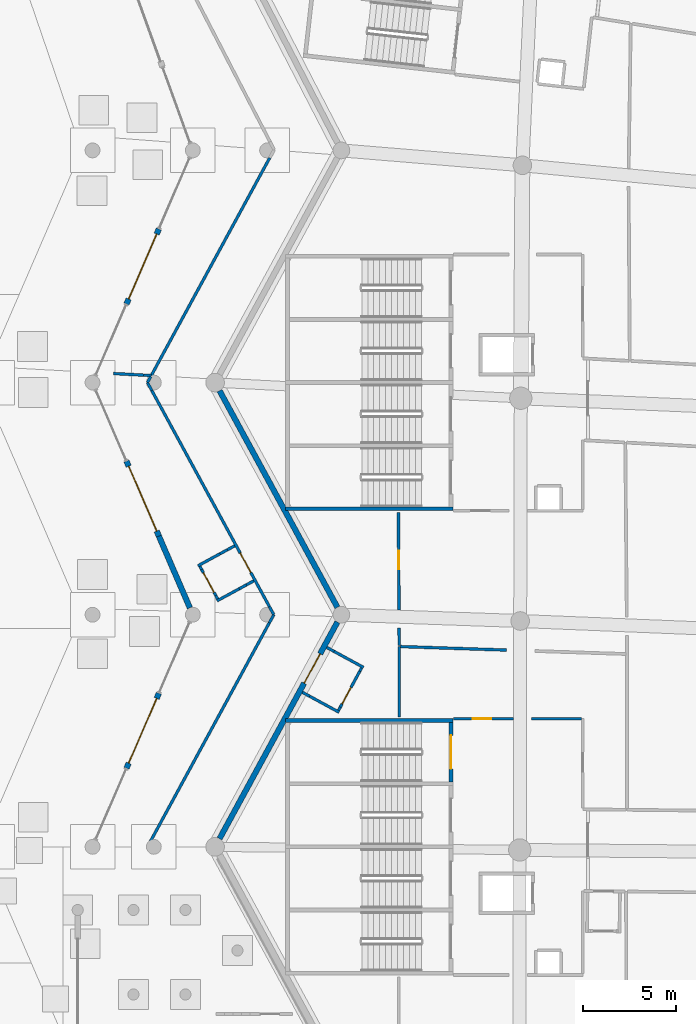
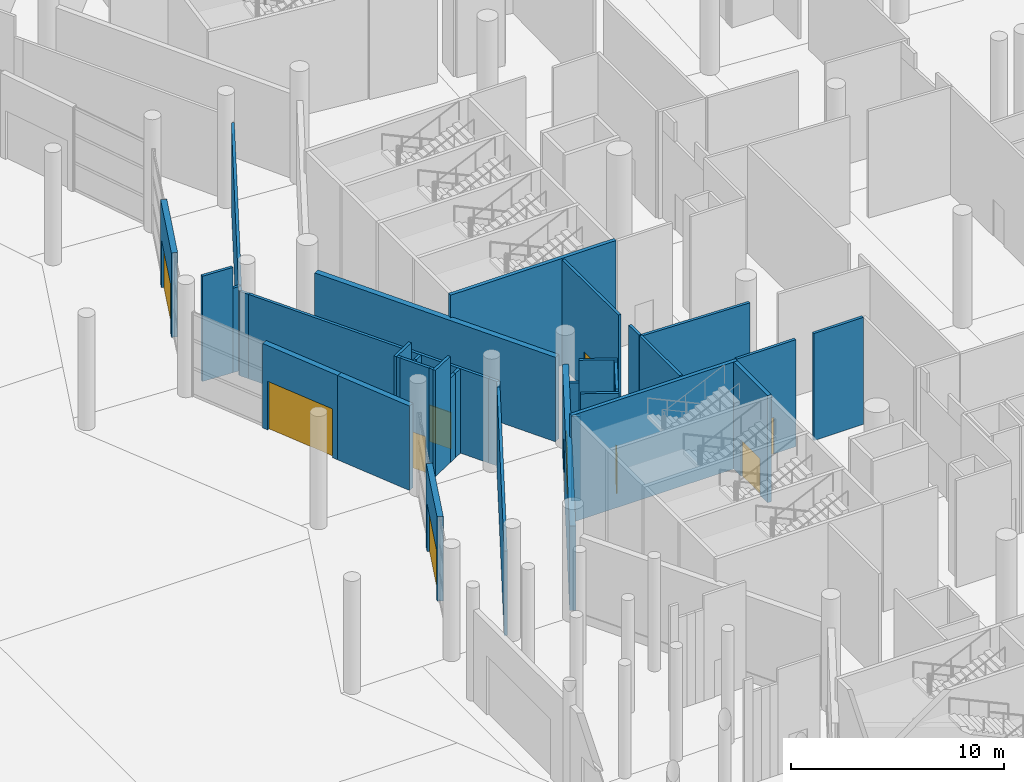
# One storey, part 132 of 255: 40 walls, 10 doors, 10 openings.
"""IFC4 building model written with IfcOpenShell, lengths in metres."""

from ifc_helpers import new_model, si_unit, direction, frame, frame_2d, origin, place, context, subcontext, project, spatial, rectangle, extrude, material, layer, layer_set, type_object, element, fill, save


model = new_model("IFC4")

# Units and contexts
model_context = context("Model", 3, precision=1e-05, world=origin(), true_north=direction((0.0, 1.0)))
body_context = subcontext(model_context, "Body", "Model", "MODEL_VIEW")
ifc_project = project(units=[si_unit("LENGTHUNIT", "METRE"), si_unit("AREAUNIT", "SQUARE_METRE"), si_unit("VOLUMEUNIT", "CUBIC_METRE"), si_unit("PLANEANGLEUNIT", "RADIAN"), si_unit("MASSUNIT", "GRAM", prefix="KILO")], contexts=[model_context])

# Site, building, storey
site_placement = place(None, origin())
site = spatial("IfcSite", under=ifc_project, at=site_placement, CompositionType="ELEMENT")
building_placement = place(site_placement, origin())
building = spatial("IfcBuilding", under=site, at=building_placement, Name="Meseta Stadium", CompositionType="ELEMENT")
storey_placement = place(building_placement, origin())
storey = spatial("IfcBuildingStorey", under=building, at=storey_placement, Name="L00", CompositionType="ELEMENT", Elevation=0.0)

# Walls
ifc_material_1 = material(Name="Concrete C40/50", Category="concrete")
ifc_layer_1 = layer(ifc_material_1, 0.199951171875)
ifc_layer_set_1 = layer_set([ifc_layer_1], Name="Core shaft wall 200")
wall_type_1 = type_object("IfcWallType", Name="Core shaft wall 200", PredefinedType="SHEAR", material=ifc_layer_set_1)
for number, where, z_axis, x_axis, name in (
    (1, (-97.60009765625, 24.449951171875, 0.0), (0.0, 0.0, 1.0), (1.0, 0.0, 0.0), "Core 16 L00 stair wall B-side"),
    (2, (-97.60009765625, 13.050048828125, 0.0), (0.0, 0.0, 1.0), (1.0, 0.0, 0.0), "Core 17 L00 stair wall A-side"),
):
    element("IfcWall", number, at=place(storey_placement, frame(where, z_axis=z_axis, x_axis=x_axis)), inside=storey, type_object=wall_type_1, Name=name, PredefinedType="SHEAR", context=body_context, shape_type="SweptSolid", body=[
        extrude(rectangle(XDim=9.0, YDim=0.199951171875, at=frame_2d((4.5, 0.0))), origin(), (0.0, 0.0, 1.0), 6.14990234375),
    ])

# Wall, opening, door
wall_1_placement = place(storey_placement, frame((-88.699951171875, 12.949951171875, 0.0), z_axis=(0.0, 0.0, 1.0), x_axis=(0.0, -1.0, 0.0)))
wall_1 = element("IfcWall", 3, at=wall_1_placement, inside=storey, type_object=wall_type_1, Name="Core 17 L00 stair A1 inner end wall", PredefinedType="SHEAR", context=body_context, shape_type="SweptSolid", body=[
    extrude(rectangle(XDim=3.199951171875, YDim=0.199951171875, at=frame_2d((1.60009765625, 0.0))), origin(), (0.0, 0.0, 1.0), 6.14990234375),
])
opening_1_placement = place(wall_1_placement, frame((0.699951171875, 0.0, 0.0)))
opening_1 = element("IfcOpeningElement", 4, at=opening_1_placement, cuts=wall_1, Name="Opening D229", PredefinedType="OPENING", context=body_context, shape_type="SweptSolid", body=[
    extrude(rectangle(XDim=1.800048828125, YDim=2.10009765625, at=frame_2d((0.89990234375, 1.050048828125))), frame((0.0, 0.10986328125, 0.0), z_axis=(0.0, -1.0, 0.0), x_axis=(1.0, 0.0, 0.0)), (0.0, 0.0, 1.0), 0.219970703125),
])
ifc_material_2 = material(Name="Steel", Category="steel")
door_type_1 = type_object("IfcDoorType", Name="Stair door 1800x2100", OperationType="DOUBLE_DOOR_SINGLE_SWING", PredefinedType="DOOR", material=ifc_material_2)
door_1_placement = place(opening_1_placement, origin())
door_1 = element("IfcDoor", 5, at=door_1_placement, inside=storey, type_object=door_type_1, Name="Stair A1 door 17 L00", OperationType="DOUBLE_DOOR_SINGLE_SWING", OverallHeight=2.10009765625, OverallWidth=1.800048828125, PredefinedType="DOOR", context=body_context, shape_type="SweptSolid", body=[
    extrude(rectangle(XDim=1.800048828125, YDim=2.10009765625, at=frame_2d((0.89990234375, 1.050048828125))), frame((0.0, 0.02490234375, 0.0), z_axis=(0.0, -1.0, 0.0), x_axis=(1.0, 0.0, 0.0)), (0.0, 0.0, 1.0), 0.050048828125),
])
fill(opening_1, door_1)

# Walls
ifc_material_3 = material(Name="Masonry blockwork", Category="masonry")
ifc_layer_2 = layer(ifc_material_3, 0.14990234375)
ifc_layer_set_2 = layer_set([ifc_layer_2], Name="Partition 150")
wall_type_2 = type_object("IfcWallType", Name="Partition 150", PredefinedType="PARTITIONING", material=ifc_layer_set_2)
wall_2_placement = place(storey_placement, frame((-91.48828125, 13.25, 0.0), z_axis=(0.0, 0.0, 1.0), x_axis=(6.4503644e-05, 0.99999999792, 0.0)))
element("IfcWall", 6, at=wall_2_placement, inside=storey, type_object=wall_type_2, Name="Partition L00 L00-cell15-2-0a", PredefinedType="PARTITIONING", context=body_context, shape_type="SweptSolid", body=[
    extrude(rectangle(XDim=3.784912109375, YDim=0.14990234375, at=frame_2d((1.892578125, 0.0))), origin(), (0.0, 0.0, 1.0), 6.14990234375),
])
wall_3_placement = place(storey_placement, frame((-91.4130859375, 17.032470703125, 0.0), z_axis=(0.0, 0.0, 1.0), x_axis=(0.999458991221, -0.032889586018, 0.0)))
element("IfcWall", 7, at=wall_3_placement, inside=storey, type_object=wall_type_2, Name="Partition L00 L00-cell15-2-0a", PredefinedType="PARTITIONING", context=body_context, shape_type="SweptSolid", body=[
    extrude(rectangle(XDim=5.7158203125, YDim=0.14990234375, at=frame_2d((2.85791015625, 0.0))), origin(), (0.0, 0.0, 1.0), 6.14990234375),
])

# Wall, opening, door
wall_4_placement = place(storey_placement, frame((-85.339111328125, 13.14990234375, 0.0), z_axis=(0.0, 0.0, 1.0), x_axis=(-1.0, 0.0, 0.0)))
wall_4 = element("IfcWall", 8, at=wall_4_placement, inside=storey, type_object=wall_type_2, Name="Partition L00 L00-cell15-2-0a", PredefinedType="PARTITIONING", context=body_context, shape_type="SweptSolid", body=[
    extrude(rectangle(XDim=3.220947265625, YDim=0.14990234375, at=frame_2d((1.6103515625, 0.0))), origin(), (0.0, 0.0, 1.0), 6.14990234375),
])
opening_2_placement = place(wall_4_placement, frame((1.199951171875, 0.0, 0.0)))
opening_2 = element("IfcOpeningElement", 9, at=opening_2_placement, cuts=wall_4, Name="Opening D579", PredefinedType="OPENING", context=body_context, shape_type="SweptSolid", body=[
    extrude(rectangle(XDim=1.0, YDim=2.10009765625, at=frame_2d((0.5, 1.050048828125))), frame((0.0, 0.0849609375, 0.0), z_axis=(0.0, -1.0, 0.0), x_axis=(1.0, 0.0, 0.0)), (0.0, 0.0, 1.0), 0.169921875),
])
ifc_material_4 = material(Name="Timber", Category="wood")
door_type_2 = type_object("IfcDoorType", Name="Room door 1000x2100", OperationType="NOTDEFINED", PredefinedType="DOOR", material=ifc_material_4)
door_2_placement = place(opening_2_placement, origin())
door_2 = element("IfcDoor", 10, at=door_2_placement, inside=storey, type_object=door_type_2, Name="Door D579", OperationType="SINGLE_SWING_RIGHT", OverallHeight=2.10009765625, OverallWidth=1.0, PredefinedType="DOOR", context=body_context, shape_type="SweptSolid", body=[
    extrude(rectangle(XDim=1.0, YDim=2.10009765625, at=frame_2d((0.5, 1.050048828125))), frame((0.0, 0.02490234375, 0.0), z_axis=(0.0, -1.0, 0.0), x_axis=(1.0, 0.0, 0.0)), (0.0, 0.0, 1.0), 0.050048828125),
])
fill(opening_2, door_2)

# Walls
wall_5_placement = place(storey_placement, frame((-81.675048828125, 13.14990234375, 0.0), z_axis=(0.0, 0.0, 1.0), x_axis=(-1.0, 0.0, 0.0)))
element("IfcWall", 11, at=wall_5_placement, inside=storey, type_object=wall_type_2, Name="Partition L00 L00-cell15-2-0b1", PredefinedType="PARTITIONING", context=body_context, shape_type="SweptSolid", body=[
    extrude(rectangle(XDim=2.691650390625, YDim=0.14990234375, at=frame_2d((1.345703125, 0.0))), origin(), (0.0, 0.0, 1.0), 6.14990234375),
])
wall_6_placement = place(storey_placement, frame((-91.48779296875, 17.0849609375, 0.0), z_axis=(0.0, 0.0, 1.0), x_axis=(-0.005877741553, 0.999982725928, 0.0)))
element("IfcWall", 12, at=wall_6_placement, inside=storey, type_object=wall_type_2, Name="Partition L00 L00-cell15-2-0w", PredefinedType="PARTITIONING", context=body_context, shape_type="SweptSolid", body=[
    extrude(rectangle(XDim=0.955322265625, YDim=0.14990234375, at=frame_2d((0.4775390625, 0.0))), origin(), (0.0, 0.0, 1.0), 6.14990234375),
])

# Wall, opening, door
wall_7_placement = place(storey_placement, frame((-91.528564453125, 24.25, 0.0), z_axis=(0.0, 0.0, 1.0), x_axis=(0.005668527085, -0.999983933771, 0.0)))
wall_7 = element("IfcWall", 13, at=wall_7_placement, inside=storey, type_object=wall_type_2, Name="Partition L00 L00-cell15-2-0w", PredefinedType="PARTITIONING", context=body_context, shape_type="SweptSolid", body=[
    extrude(rectangle(XDim=5.25439453125, YDim=0.14990234375, at=frame_2d((2.627197265625, 0.0))), origin(), (0.0, 0.0, 1.0), 6.14990234375),
])
opening_3_placement = place(wall_7_placement, frame((2.054443359375, 0.0, 0.0)))
opening_3 = element("IfcOpeningElement", 14, at=opening_3_placement, cuts=wall_7, Name="Opening D582", PredefinedType="OPENING", context=body_context, shape_type="SweptSolid", body=[
    extrude(rectangle(XDim=1.0, YDim=2.10009765625, at=frame_2d((0.5, 1.050048828125))), frame((0.0, 0.0849609375, 0.0), z_axis=(0.0, -1.0, 0.0), x_axis=(1.0, 0.0, 0.0)), (0.0, 0.0, 1.0), 0.169921875),
])
ifc_material_5 = material(Name="Steel", Category="steel")
door_type_3 = type_object("IfcDoorType", Name="Fire door 1000x2100 EI2 120", OperationType="NOTDEFINED", PredefinedType="DOOR", material=ifc_material_5)
door_3_placement = place(opening_3_placement, origin())
door_3 = element("IfcDoor", 15, at=door_3_placement, inside=storey, type_object=door_type_3, Name="Door D582", OperationType="SINGLE_SWING_LEFT", OverallHeight=2.10009765625, OverallWidth=1.0, PredefinedType="DOOR", context=body_context, shape_type="SweptSolid", body=[
    extrude(rectangle(XDim=1.0, YDim=2.10009765625, at=frame_2d((0.5, 1.050048828125))), frame((0.0, 0.02490234375, 0.0), z_axis=(0.0, -1.0, 0.0), x_axis=(1.0, 0.0, 0.0)), (0.0, 0.0, 1.0), 0.050048828125),
])
fill(opening_3, door_3)

# Walls
wall_8_placement = place(storey_placement, frame((-98.459228515625, 43.352294921875, 0.0), z_axis=(0.0, 0.0, 1.0), x_axis=(-0.477866525751, -0.87843245817, 0.0)))
element("IfcWall", 16, at=wall_8_placement, inside=storey, type_object=wall_type_2, Name="Partition L00 L00-ring14-0", PredefinedType="PARTITIONING", context=body_context, shape_type="SweptSolid", body=[
    extrude(rectangle(XDim=13.350341796875, YDim=0.14990234375, at=frame_2d((6.67529296875, 0.0))), origin(), (0.0, 0.0, 1.0), 4.85009765625),
])
wall_9_placement = place(storey_placement, frame((-104.8388671875, 31.625, 0.0), z_axis=(0.0, 0.0, 1.0), x_axis=(-0.998498997746, 0.054769987218, 0.0)))
element("IfcWall", 17, at=wall_9_placement, inside=storey, type_object=wall_type_2, Name="Partition L00 L00-ring14-0", PredefinedType="PARTITIONING", context=body_context, shape_type="SweptSolid", body=[
    extrude(rectangle(XDim=0.405517578125, YDim=0.14990234375, at=frame_2d((0.20263671875, 0.0))), origin(), (0.0, 0.0, 1.0), 4.85009765625),
])
wall_10_placement = place(storey_placement, frame((-105.243896484375, 31.647216796875, 0.0), z_axis=(0.0, 0.0, 1.0), x_axis=(-0.998498997746, 0.054769987218, 0.0)))
element("IfcWall", 18, at=wall_10_placement, inside=storey, type_object=wall_type_2, Name="Partition L00 L00-ring14-0", PredefinedType="PARTITIONING", context=body_context, shape_type="SweptSolid", body=[
    extrude(rectangle(XDim=1.62255859375, YDim=0.14990234375, at=frame_2d((0.811279296875, 0.0))), origin(), (0.0, 0.0, 1.0), 6.050048828125),
])
wall_11_placement = place(storey_placement, frame((-104.865234375, 31.576416015625, 0.0), z_axis=(0.0, 0.0, 1.0), x_axis=(-0.478207674855, -0.878246787475, 0.0)))
element("IfcWall", 19, at=wall_11_placement, inside=storey, type_object=wall_type_2, Name="Partition L00 L00-ring15-0", PredefinedType="PARTITIONING", context=body_context, shape_type="SweptSolid", body=[
    extrude(rectangle(XDim=0.37158203125, YDim=0.14990234375, at=frame_2d((0.185791015625, 0.0))), origin(), (0.0, 0.0, 1.0), 4.85009765625),
])
wall_12_placement = place(storey_placement, frame((-105.04296875, 31.25, 0.0), z_axis=(0.0, 0.0, 1.0), x_axis=(0.478189589733, -0.87825663463, 0.0)))
element("IfcWall", 20, at=wall_12_placement, inside=storey, type_object=wall_type_2, Name="Partition L00 L00-ring15-0", PredefinedType="PARTITIONING", context=body_context, shape_type="SweptSolid", body=[
    extrude(rectangle(XDim=0.49072265625, YDim=0.14990234375, at=frame_2d((0.245361328125, 0.0))), origin(), (0.0, 0.0, 1.0), 4.85009765625),
])

# Wall, opening, door
wall_13_placement = place(storey_placement, frame((-104.808349609375, 30.819091796875, 0.0), z_axis=(0.0, 0.0, 1.0), x_axis=(0.477860264875, -0.878435864052, 0.0)))
wall_13 = element("IfcWall", 21, at=wall_13_placement, inside=storey, type_object=wall_type_2, Name="Partition L00 L00-ring15-0", PredefinedType="PARTITIONING", context=body_context, shape_type="SweptSolid", body=[
    extrude(rectangle(XDim=13.248779296875, YDim=0.14990234375, at=frame_2d((6.62451171875, 0.0))), origin(), (0.0, 0.0, 1.0), 4.85009765625),
])
opening_4_placement = place(wall_13_placement, frame((9.949951171875, 0.0, 0.0)))
opening_4 = element("IfcOpeningElement", 22, at=opening_4_placement, cuts=wall_13, Name="Opening D628", PredefinedType="OPENING", context=body_context, shape_type="SweptSolid", body=[
    extrude(rectangle(XDim=1.199951171875, YDim=2.10009765625, at=frame_2d((0.60009765625, 1.050048828125))), frame((0.0, 0.0849609375, 0.0), z_axis=(0.0, -1.0, 0.0), x_axis=(1.0, 0.0, 0.0)), (0.0, 0.0, 1.0), 0.169921875),
])
ifc_material_6 = material(Name="Steel", Category="steel")
door_type_4 = type_object("IfcDoorType", Name="Fire door 1200x2100 EI2 60", OperationType="NOTDEFINED", PredefinedType="DOOR", material=ifc_material_6)
door_4_placement = place(opening_4_placement, origin())
door_4 = element("IfcDoor", 23, at=door_4_placement, inside=storey, type_object=door_type_4, Name="Door D628", OperationType="SINGLE_SWING_RIGHT", OverallHeight=2.10009765625, OverallWidth=1.199951171875, PredefinedType="DOOR", context=body_context, shape_type="SweptSolid", body=[
    extrude(rectangle(XDim=1.199951171875, YDim=2.10009765625, at=frame_2d((0.60009765625, 1.050048828125))), frame((0.0, 0.02490234375, 0.0), z_axis=(0.0, -1.0, 0.0), x_axis=(1.0, 0.0, 0.0)), (0.0, 0.0, 1.0), 0.050048828125),
])
fill(opening_4, door_4)

# Walls
wall_14_placement = place(storey_placement, frame((-98.477294921875, 19.180908203125, 0.0), z_axis=(0.0, 0.0, 1.0), x_axis=(0.477805639801, -0.878465577342, 0.0)))
element("IfcWall", 24, at=wall_14_placement, inside=storey, type_object=wall_type_2, Name="Partition L00 L00-ring15-0", PredefinedType="PARTITIONING", context=body_context, shape_type="SweptSolid", body=[
    extrude(rectangle(XDim=0.490478515625, YDim=0.14990234375, at=frame_2d((0.2451171875, 0.0))), origin(), (0.0, 0.0, 1.0), 4.85009765625),
])
wall_15_placement = place(storey_placement, frame((-98.242919921875, 18.75, 0.0), z_axis=(0.0, 0.0, 1.0), x_axis=(-0.477924582155, -0.878400873048, 0.0)))
element("IfcWall", 25, at=wall_15_placement, inside=storey, type_object=wall_type_2, Name="Partition L00 L00-ring15-0", PredefinedType="PARTITIONING", context=body_context, shape_type="SweptSolid", body=[
    extrude(rectangle(XDim=0.498046875, YDim=0.14990234375, at=frame_2d((0.2490234375, 0.0))), origin(), (0.0, 0.0, 1.0), 4.85009765625),
])
wall_16_placement = place(storey_placement, frame((-98.48095703125, 18.3125, 0.0), z_axis=(0.0, 0.0, 1.0), x_axis=(-0.47786854719, -0.878431358506, 0.0)))
element("IfcWall", 26, at=wall_16_placement, inside=storey, type_object=wall_type_2, Name="Partition L00 L00-ring15-0", PredefinedType="PARTITIONING", context=body_context, shape_type="SweptSolid", body=[
    extrude(rectangle(XDim=13.447265625, YDim=0.14990234375, at=frame_2d((6.7236328125, 0.0))), origin(), (0.0, 0.0, 1.0), 4.85009765625),
])
wall_17_placement = place(storey_placement, frame((-96.7021484375, 14.57177734375, 0.0), z_axis=(0.0, 0.0, 1.0), x_axis=(0.878372019733, -0.477977609256, 0.0)))
element("IfcWall", 27, at=wall_17_placement, inside=storey, type_object=wall_type_2, Name="Partition L00 L00-cell15-3-0 vestibule", PredefinedType="PARTITIONING", context=body_context, shape_type="SweptSolid", body=[
    extrude(rectangle(XDim=0.449951171875, YDim=0.14990234375, at=frame_2d((0.22509765625, 0.0))), origin(), (0.0, 0.0, 1.0), 4.85009765625),
])
wall_18_placement = place(storey_placement, frame((-96.306884765625, 14.356689453125, 0.0), z_axis=(0.0, 0.0, 1.0), x_axis=(0.878428962466, -0.477872951632, 0.0)))
element("IfcWall", 28, at=wall_18_placement, inside=storey, type_object=wall_type_2, Name="Partition L00 L00-cell15-3-0 vestibule", PredefinedType="PARTITIONING", context=body_context, shape_type="SweptSolid", body=[
    extrude(rectangle(XDim=1.7998046875, YDim=0.14990234375, at=frame_2d((0.89990234375, 0.0))), origin(), (0.0, 0.0, 1.0), 6.14990234375),
])
wall_19_placement = place(storey_placement, frame((-95.38818359375, 16.9873046875, 0.0), z_axis=(0.0, 0.0, 1.0), x_axis=(0.878372019733, -0.477977609256, 0.0)))
element("IfcWall", 29, at=wall_19_placement, inside=storey, type_object=wall_type_2, Name="Partition L00 L00-cell15-3-0 vestibule", PredefinedType="PARTITIONING", context=body_context, shape_type="SweptSolid", body=[
    extrude(rectangle(XDim=0.449951171875, YDim=0.14990234375, at=frame_2d((0.22509765625, 0.0))), origin(), (0.0, 0.0, 1.0), 4.85009765625),
])
wall_20_placement = place(storey_placement, frame((-94.992919921875, 16.772216796875, 0.0), z_axis=(0.0, 0.0, 1.0), x_axis=(0.878459932885, -0.477816017223, 0.0)))
element("IfcWall", 30, at=wall_20_placement, inside=storey, type_object=wall_type_2, Name="Partition L00 L00-cell15-3-0 vestibule", PredefinedType="PARTITIONING", context=body_context, shape_type="SweptSolid", body=[
    extrude(rectangle(XDim=1.800048828125, YDim=0.14990234375, at=frame_2d((0.89990234375, 0.0))), origin(), (0.0, 0.0, 1.0), 6.14990234375),
])
wall_21_placement = place(storey_placement, frame((-94.755859375, 13.59814453125, 0.0), z_axis=(0.0, 0.0, 1.0), x_axis=(0.478168266369, 0.878268244352, 0.0)))
element("IfcWall", 31, at=wall_21_placement, inside=storey, type_object=wall_type_2, Name="Partition L00 L00-cell15-3-0 vestibule", PredefinedType="PARTITIONING", context=body_context, shape_type="SweptSolid", body=[
    extrude(rectangle(XDim=0.2001953125, YDim=0.14990234375, at=frame_2d((0.10009765625, 0.0))), origin(), (0.0, 0.0, 1.0), 6.14990234375),
])

# Wall, opening, door
wall_22_placement = place(storey_placement, frame((-94.66015625, 13.77392578125, 0.0), z_axis=(0.0, 0.0, 1.0), x_axis=(0.477887643273, 0.878420969927, 0.0)))
wall_22 = element("IfcWall", 32, at=wall_22_placement, inside=storey, type_object=wall_type_2, Name="Partition L00 L00-cell15-3-0 vestibule", PredefinedType="PARTITIONING", context=body_context, shape_type="SweptSolid", body=[
    extrude(rectangle(XDim=2.19970703125, YDim=0.14990234375, at=frame_2d((1.099853515625, 0.0))), origin(), (0.0, 0.0, 1.0), 6.14990234375),
])
opening_5_placement = place(wall_22_placement, frame((0.199951171875, 0.0, 0.0)))
opening_5 = element("IfcOpeningElement", 33, at=opening_5_placement, cuts=wall_22, Name="Opening D846", PredefinedType="OPENING", context=body_context, shape_type="SweptSolid", body=[
    extrude(rectangle(XDim=1.0, YDim=2.10009765625, at=frame_2d((0.5, 1.050048828125))), frame((0.0, 0.0849609375, 0.0), z_axis=(0.0, -1.0, 0.0), x_axis=(1.0, 0.0, 0.0)), (0.0, 0.0, 1.0), 0.169921875),
])
ifc_material_7 = material(Name="Steel", Category="steel")
door_type_5 = type_object("IfcDoorType", Name="Fire door 1000x2100 EI2 60", OperationType="NOTDEFINED", PredefinedType="DOOR", material=ifc_material_7)
door_5_placement = place(opening_5_placement, origin())
door_5 = element("IfcDoor", 34, at=door_5_placement, inside=storey, type_object=door_type_5, Name="Vestibule door L00 L00-cell15-3-0", OperationType="SINGLE_SWING_LEFT", OverallHeight=2.10009765625, OverallWidth=1.0, PredefinedType="DOOR", context=body_context, shape_type="SweptSolid", body=[
    extrude(rectangle(XDim=1.0, YDim=2.10009765625, at=frame_2d((0.5, 1.050048828125))), frame((0.0, 0.02490234375, 0.0), z_axis=(0.0, -1.0, 0.0), x_axis=(1.0, 0.0, 0.0)), (0.0, 0.0, 1.0), 0.050048828125),
])
fill(opening_5, door_5)

# Walls
wall_23_placement = place(storey_placement, frame((-93.60888671875, 15.706298828125, 0.0), z_axis=(0.0, 0.0, 1.0), x_axis=(0.477226530971, 0.878780312785, 0.0)))
element("IfcWall", 35, at=wall_23_placement, inside=storey, type_object=wall_type_2, Name="Partition L00 L00-cell15-3-0 vestibule", PredefinedType="PARTITIONING", context=body_context, shape_type="SweptSolid", body=[
    extrude(rectangle(XDim=0.199951171875, YDim=0.14990234375, at=frame_2d((0.10009765625, 0.0))), origin(), (0.0, 0.0, 1.0), 6.14990234375),
])
wall_24_placement = place(storey_placement, frame((-100.346435546875, 22.4599609375, 0.0), z_axis=(0.0, 0.0, 1.0), x_axis=(-0.878599760102, -0.477558856633, 0.0)))
element("IfcWall", 36, at=wall_24_placement, inside=storey, type_object=wall_type_2, Name="Partition L00 L00-ring15-0 vestibule", PredefinedType="PARTITIONING", context=body_context, shape_type="SweptSolid", body=[
    extrude(rectangle(XDim=0.449951171875, YDim=0.14990234375, at=frame_2d((0.22509765625, 0.0))), origin(), (0.0, 0.0, 1.0), 4.85009765625),
])
wall_25_placement = place(storey_placement, frame((-100.74169921875, 22.2451171875, 0.0), z_axis=(0.0, 0.0, 1.0), x_axis=(-0.878268244352, -0.478168266369, 0.0)))
element("IfcWall", 37, at=wall_25_placement, inside=storey, type_object=wall_type_2, Name="Partition L00 L00-ring15-0 vestibule", PredefinedType="PARTITIONING", context=body_context, shape_type="SweptSolid", body=[
    extrude(rectangle(XDim=0.450439453125, YDim=0.14990234375, at=frame_2d((0.22509765625, 0.0))), origin(), (0.0, 0.0, 1.0), 4.85009765625),
])
wall_26_placement = place(storey_placement, frame((-101.13720703125, 22.02978515625, 0.0), z_axis=(0.0, 0.0, 1.0), x_axis=(-0.878447942246, -0.477838061234, 0.0)))
element("IfcWall", 38, at=wall_26_placement, inside=storey, type_object=wall_type_2, Name="Partition L00 L00-ring15-0 vestibule", PredefinedType="PARTITIONING", context=body_context, shape_type="SweptSolid", body=[
    extrude(rectangle(XDim=1.349853515625, YDim=0.14990234375, at=frame_2d((0.6748046875, 0.0))), origin(), (0.0, 0.0, 1.0), 6.10009765625),
])
for number, where, z_axis, x_axis, name in (
    (39, (-99.319091796875, 20.5712890625, 0.0), (0.0, 0.0, 1.0), (-0.878599760102, -0.477558856633, 0.0), "Partition L00 L00-ring15-0 vestibule"),
    (40, (-99.71435546875, 20.3564453125, 0.0), (0.0, 0.0, 1.0), (-0.878372019733, -0.477977609256, 0.0), "Partition L00 L00-ring15-0 vestibule"),
):
    element("IfcWall", number, at=place(storey_placement, frame(where, z_axis=z_axis, x_axis=x_axis)), inside=storey, type_object=wall_type_2, Name=name, PredefinedType="PARTITIONING", context=body_context, shape_type="SweptSolid", body=[
        extrude(rectangle(XDim=0.449951171875, YDim=0.14990234375, at=frame_2d((0.22509765625, 0.0))), origin(), (0.0, 0.0, 1.0), 4.85009765625),
    ])
wall_27_placement = place(storey_placement, frame((-100.109619140625, 20.141357421875, 0.0), z_axis=(0.0, 0.0, 1.0), x_axis=(-0.878372019733, -0.477977609256, 0.0)))
element("IfcWall", 41, at=wall_27_placement, inside=storey, type_object=wall_type_2, Name="Partition L00 L00-ring15-0 vestibule", PredefinedType="PARTITIONING", context=body_context, shape_type="SweptSolid", body=[
    extrude(rectangle(XDim=1.35009765625, YDim=0.14990234375, at=frame_2d((0.675048828125, 0.0))), origin(), (0.0, 0.0, 1.0), 6.10009765625),
])
wall_28_placement = place(storey_placement, frame((-102.22119140625, 21.354736328125, 0.0), z_axis=(0.0, 0.0, 1.0), x_axis=(0.477738861158, -0.878501895581, 0.0)))
element("IfcWall", 42, at=wall_28_placement, inside=storey, type_object=wall_type_2, Name="Partition L00 L00-ring15-0 vestibule", PredefinedType="PARTITIONING", context=body_context, shape_type="SweptSolid", body=[
    extrude(rectangle(XDim=0.19970703125, YDim=0.14990234375, at=frame_2d((0.099853515625, 0.0))), origin(), (0.0, 0.0, 1.0), 6.10009765625),
])

# Wall, opening, door
wall_29_placement = place(storey_placement, frame((-102.125732421875, 21.17919921875, 0.0), z_axis=(0.0, 0.0, 1.0), x_axis=(0.477889696038, -0.878419853157, 0.0)))
wall_29 = element("IfcWall", 43, at=wall_29_placement, inside=storey, type_object=wall_type_2, Name="Partition L00 L00-ring15-0 vestibule", PredefinedType="PARTITIONING", context=body_context, shape_type="SweptSolid", body=[
    extrude(rectangle(XDim=1.60009765625, YDim=0.14990234375, at=frame_2d((0.800048828125, 0.0))), origin(), (0.0, 0.0, 1.0), 6.10009765625),
])
opening_6_placement = place(wall_29_placement, frame((0.199951171875, 0.0, 0.0)))
opening_6 = element("IfcOpeningElement", 44, at=opening_6_placement, cuts=wall_29, Name="Opening D878", PredefinedType="OPENING", context=body_context, shape_type="SweptSolid", body=[
    extrude(rectangle(XDim=1.199951171875, YDim=2.10009765625, at=frame_2d((0.60009765625, 1.050048828125))), frame((0.0, 0.0849609375, 0.0), z_axis=(0.0, -1.0, 0.0), x_axis=(1.0, 0.0, 0.0)), (0.0, 0.0, 1.0), 0.169921875),
])
door_6_placement = place(opening_6_placement, origin())
door_6 = element("IfcDoor", 45, at=door_6_placement, inside=storey, type_object=door_type_4, Name="Vestibule door L00 L00-ring15-0", OperationType="SINGLE_SWING_RIGHT", OverallHeight=2.10009765625, OverallWidth=1.199951171875, PredefinedType="DOOR", context=body_context, shape_type="SweptSolid", body=[
    extrude(rectangle(XDim=1.199951171875, YDim=2.10009765625, at=frame_2d((0.60009765625, 1.050048828125))), frame((0.0, 0.02490234375, 0.0), z_axis=(0.0, -1.0, 0.0), x_axis=(1.0, 0.0, 0.0)), (0.0, 0.0, 1.0), 0.050048828125),
])
fill(opening_6, door_6)

# Walls
wall_30_placement = place(storey_placement, frame((-101.361083984375, 19.773681640625, 0.0), z_axis=(0.0, 0.0, 1.0), x_axis=(0.478168266369, -0.878268244352, 0.0)))
element("IfcWall", 46, at=wall_30_placement, inside=storey, type_object=wall_type_2, Name="Partition L00 L00-ring15-0 vestibule", PredefinedType="PARTITIONING", context=body_context, shape_type="SweptSolid", body=[
    extrude(rectangle(XDim=0.2001953125, YDim=0.14990234375, at=frame_2d((0.10009765625, 0.0))), origin(), (0.0, 0.0, 1.0), 6.10009765625),
])
ifc_material_8 = material(Name="White precast concrete C40/50", Category="concrete")
ifc_layer_3 = layer(ifc_material_8, 0.300048828125)
ifc_layer_set_3 = layer_set([ifc_layer_3], Name="Pleated panel wall 300 concourse")
wall_type_3 = type_object("IfcWallType", Name="Pleated panel wall 300 concourse", PredefinedType="SOLIDWALL", material=ifc_layer_set_3)
wall_31_placement = place(storey_placement, frame((-94.81494140625, 19.145263671875, 0.0), z_axis=(0.0, 0.0, 1.0), x_axis=(-0.477867771117, 0.878431780691, 0.0)))
element("IfcWall", 47, at=wall_31_placement, inside=storey, type_object=wall_type_3, Name="Pleated facade panel L00 F30", PredefinedType="SOLIDWALL", context=body_context, shape_type="SweptSolid", body=[
    extrude(rectangle(XDim=13.2802734375, YDim=0.300048828125, at=frame_2d((6.64013671875, 0.0))), origin(), (0.0, 0.0, 1.0), 4.85009765625),
])

# Wall, opening, door
wall_32_placement = place(storey_placement, frame((-101.1611328125, 6.68896484375, 0.0), z_axis=(0.0, 0.0, 1.0), x_axis=(0.477867771117, 0.878431780691, 0.0)))
wall_32 = element("IfcWall", 48, at=wall_32_placement, inside=storey, type_object=wall_type_3, Name="Pleated facade panel L00 F31", PredefinedType="SOLIDWALL", context=body_context, shape_type="SweptSolid", body=[
    extrude(rectangle(XDim=13.2802734375, YDim=0.300048828125, at=frame_2d((6.64013671875, 0.0))), origin(), (0.0, 0.0, 1.0), 4.85009765625),
])
opening_7_placement = place(wall_32_placement, frame((9.530029296875, 0.0, 0.0)))
opening_7 = element("IfcOpeningElement", 49, at=opening_7_placement, cuts=wall_32, Name="Opening D976", PredefinedType="OPENING", context=body_context, shape_type="SweptSolid", body=[
    extrude(rectangle(XDim=1.800048828125, YDim=2.39990234375, at=frame_2d((0.89990234375, 1.199951171875))), frame((0.0, 0.159912109375, 0.0), z_axis=(0.0, -1.0, 0.0), x_axis=(1.0, 0.0, 0.0)), (0.0, 0.0, 1.0), 0.320068359375),
])
ifc_material_9 = material(Name="Steel", Category="steel")
door_type_6 = type_object("IfcDoorType", Name="Fire double door 1800x2400 EI2 60", OperationType="DOUBLE_DOOR_SINGLE_SWING", PredefinedType="DOOR", material=ifc_material_9)
door_7_placement = place(opening_7_placement, origin())
door_7 = element("IfcDoor", 50, at=door_7_placement, inside=storey, type_object=door_type_6, Name="Concourse door", OperationType="DOUBLE_DOOR_SINGLE_SWING", OverallHeight=2.39990234375, OverallWidth=1.800048828125, PredefinedType="DOOR", context=body_context, shape_type="SweptSolid", body=[
    extrude(rectangle(XDim=1.800048828125, YDim=2.39990234375, at=frame_2d((0.89990234375, 1.199951171875))), frame((0.0, 0.02490234375, 0.0), z_axis=(0.0, -1.0, 0.0), x_axis=(1.0, 0.0, 0.0)), (0.0, 0.0, 1.0), 0.050048828125),
])
fill(opening_7, door_7)

ifc_material_10 = material(Name="Precast concrete C40/50", Category="concrete")
ifc_layer_4 = layer(ifc_material_10, 0.300048828125)
ifc_layer_set_4 = layer_set([ifc_layer_4], Name="Ring facade panel wall 300")
wall_type_4 = type_object("IfcWallType", Name="Ring facade panel wall 300", PredefinedType="SOLIDWALL", material=ifc_layer_set_4)
wall_33_placement = place(storey_placement, frame((-106.172607421875, 35.48046875, 0.0), z_axis=(0.0, 0.0, 1.0), x_axis=(0.396623075329, 0.917981555434, 0.0)))
wall_33 = element("IfcWall", 51, at=wall_33_placement, inside=storey, type_object=wall_type_4, Name="Ring facade panel wall F29", PredefinedType="SOLIDWALL", context=body_context, shape_type="SweptSolid", body=[
    extrude(rectangle(XDim=4.39990234375, YDim=0.300048828125, at=frame_2d((2.199951171875, 0.0))), origin(), (0.0, 0.0, 1.0), 4.85009765625),
])
opening_8_placement = place(wall_33_placement, frame((0.300048828125, 0.0, 0.0)))
opening_8 = element("IfcOpeningElement", 52, at=opening_8_placement, cuts=wall_33, Name="Opening D953", PredefinedType="OPENING", context=body_context, shape_type="SweptSolid", body=[
    extrude(rectangle(XDim=3.800048828125, YDim=2.800048828125, at=frame_2d((1.89990234375, 1.39990234375))), frame((0.0, 0.159912109375, 0.0), z_axis=(0.0, -1.0, 0.0), x_axis=(1.0, 0.0, 0.0)), (0.0, 0.0, 1.0), 0.320068359375),
])
ifc_material_11 = material(Name="Steel", Category="steel")
door_type_7 = type_object("IfcDoorType", Name="Final exit door 3800x2800", OperationType="DOUBLE_DOOR_SINGLE_SWING", PredefinedType="DOOR", material=ifc_material_11)
door_8_placement = place(opening_8_placement, origin())
door_8 = element("IfcDoor", 53, at=door_8_placement, inside=storey, type_object=door_type_7, Name="Final exit F18", OperationType="DOUBLE_DOOR_SINGLE_SWING", OverallHeight=2.800048828125, OverallWidth=3.800048828125, PredefinedType="DOOR", context=body_context, shape_type="SweptSolid", body=[
    extrude(rectangle(XDim=3.800048828125, YDim=2.800048828125, at=frame_2d((1.89990234375, 1.39990234375))), frame((0.0, 0.02490234375, 0.0), z_axis=(0.0, -1.0, 0.0), x_axis=(1.0, 0.0, 0.0)), (0.0, 0.0, 1.0), 0.050048828125),
])
fill(opening_8, door_8)

wall_34_placement = place(storey_placement, frame((-104.427490234375, 22.98046875, 0.0), z_axis=(0.0, 0.0, 1.0), x_axis=(-0.396623075329, 0.917981555434, 0.0)))
wall_34 = element("IfcWall", 54, at=wall_34_placement, inside=storey, type_object=wall_type_4, Name="Ring facade panel wall F30", PredefinedType="SOLIDWALL", context=body_context, shape_type="SweptSolid", body=[
    extrude(rectangle(XDim=4.39990234375, YDim=0.300048828125, at=frame_2d((2.199951171875, 0.0))), origin(), (0.0, 0.0, 1.0), 4.85009765625),
])
opening_9_placement = place(wall_34_placement, frame((0.300048828125, 0.0, 0.0)))
opening_9 = element("IfcOpeningElement", 55, at=opening_9_placement, cuts=wall_34, Name="Opening D954", PredefinedType="OPENING", context=body_context, shape_type="SweptSolid", body=[
    extrude(rectangle(XDim=3.800048828125, YDim=2.800048828125, at=frame_2d((1.89990234375, 1.39990234375))), frame((0.0, 0.159912109375, 0.0), z_axis=(0.0, -1.0, 0.0), x_axis=(1.0, 0.0, 0.0)), (0.0, 0.0, 1.0), 0.320068359375),
])
door_9_placement = place(opening_9_placement, origin())
door_9 = element("IfcDoor", 56, at=door_9_placement, inside=storey, type_object=door_type_7, Name="Final exit F19", OperationType="DOUBLE_DOOR_SINGLE_SWING", OverallHeight=2.800048828125, OverallWidth=3.800048828125, PredefinedType="DOOR", context=body_context, shape_type="SweptSolid", body=[
    extrude(rectangle(XDim=3.800048828125, YDim=2.800048828125, at=frame_2d((1.89990234375, 1.39990234375))), frame((0.0, 0.02490234375, 0.0), z_axis=(0.0, -1.0, 0.0), x_axis=(1.0, 0.0, 0.0)), (0.0, 0.0, 1.0), 0.050048828125),
])
fill(opening_9, door_9)

# Wall
wall_35_placement = place(storey_placement, frame((-102.758544921875, 19.1171875, 0.0), z_axis=(0.0, 0.0, 1.0), x_axis=(-0.396578253752, 0.918000919744, 0.0)))
element("IfcWall", 57, at=wall_35_placement, inside=storey, type_object=wall_type_4, Name="Ring store panel wall F30b", PredefinedType="SOLIDWALL", context=body_context, shape_type="SweptSolid", body=[
    extrude(rectangle(XDim=4.208251953125, YDim=0.300048828125, at=frame_2d((2.10400390625, 0.0))), origin(), (0.0, 0.0, 1.0), 4.85009765625),
])

# Wall, opening, door
wall_36_placement = place(storey_placement, frame((-106.172607421875, 10.48046875, 0.0), z_axis=(0.0, 0.0, 1.0), x_axis=(0.396623075329, 0.917981555434, 0.0)))
wall_36 = element("IfcWall", 58, at=wall_36_placement, inside=storey, type_object=wall_type_4, Name="Ring facade panel wall F31", PredefinedType="SOLIDWALL", context=body_context, shape_type="SweptSolid", body=[
    extrude(rectangle(XDim=4.39990234375, YDim=0.300048828125, at=frame_2d((2.199951171875, 0.0))), origin(), (0.0, 0.0, 1.0), 4.85009765625),
])
opening_10_placement = place(wall_36_placement, frame((0.300048828125, 0.0, 0.0)))
opening_10 = element("IfcOpeningElement", 59, at=opening_10_placement, cuts=wall_36, Name="Opening D955", PredefinedType="OPENING", context=body_context, shape_type="SweptSolid", body=[
    extrude(rectangle(XDim=3.800048828125, YDim=2.800048828125, at=frame_2d((1.89990234375, 1.39990234375))), frame((0.0, 0.159912109375, 0.0), z_axis=(0.0, -1.0, 0.0), x_axis=(1.0, 0.0, 0.0)), (0.0, 0.0, 1.0), 0.320068359375),
])
door_10_placement = place(opening_10_placement, origin())
door_10 = element("IfcDoor", 60, at=door_10_placement, inside=storey, type_object=door_type_7, Name="Final exit F20", OperationType="DOUBLE_DOOR_SINGLE_SWING", OverallHeight=2.800048828125, OverallWidth=3.800048828125, PredefinedType="DOOR", context=body_context, shape_type="SweptSolid", body=[
    extrude(rectangle(XDim=3.800048828125, YDim=2.800048828125, at=frame_2d((1.89990234375, 1.39990234375))), frame((0.0, 0.02490234375, 0.0), z_axis=(0.0, -1.0, 0.0), x_axis=(1.0, 0.0, 0.0)), (0.0, 0.0, 1.0), 0.050048828125),
])
fill(opening_10, door_10)

save(model, "model.ifc")
